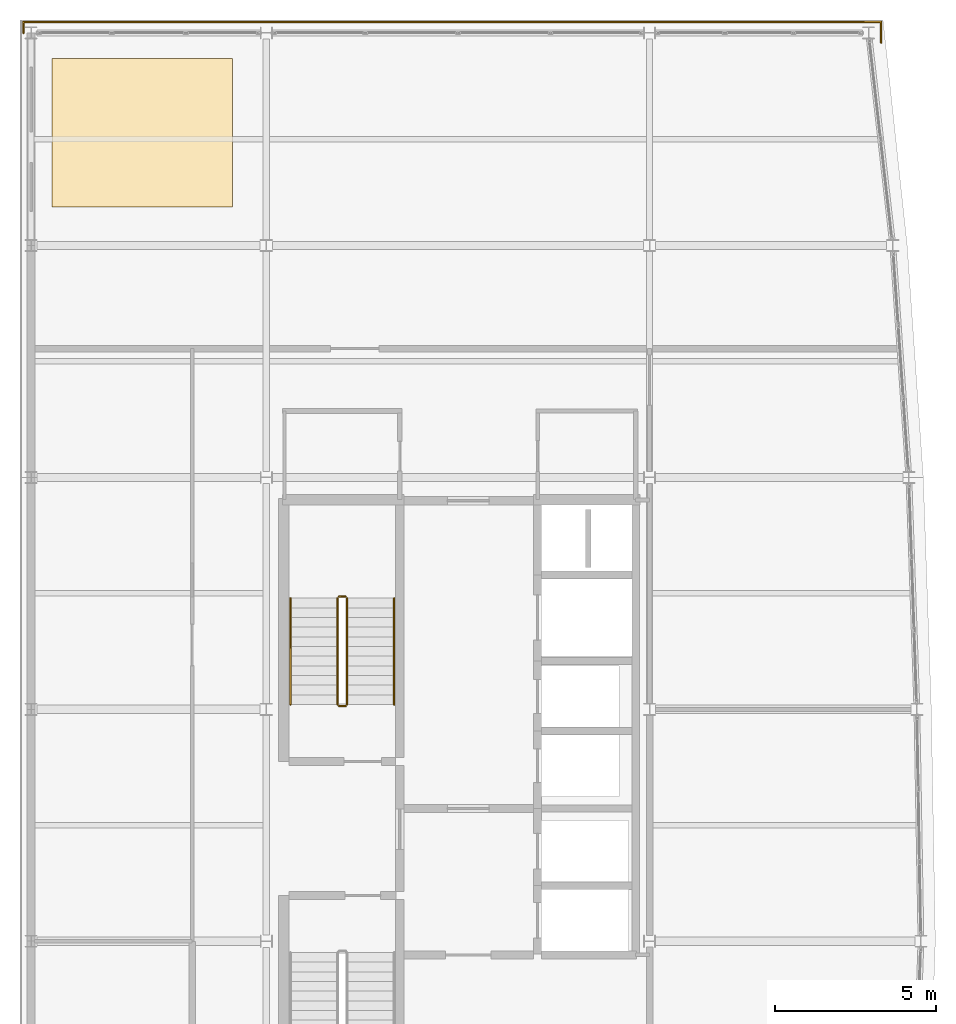
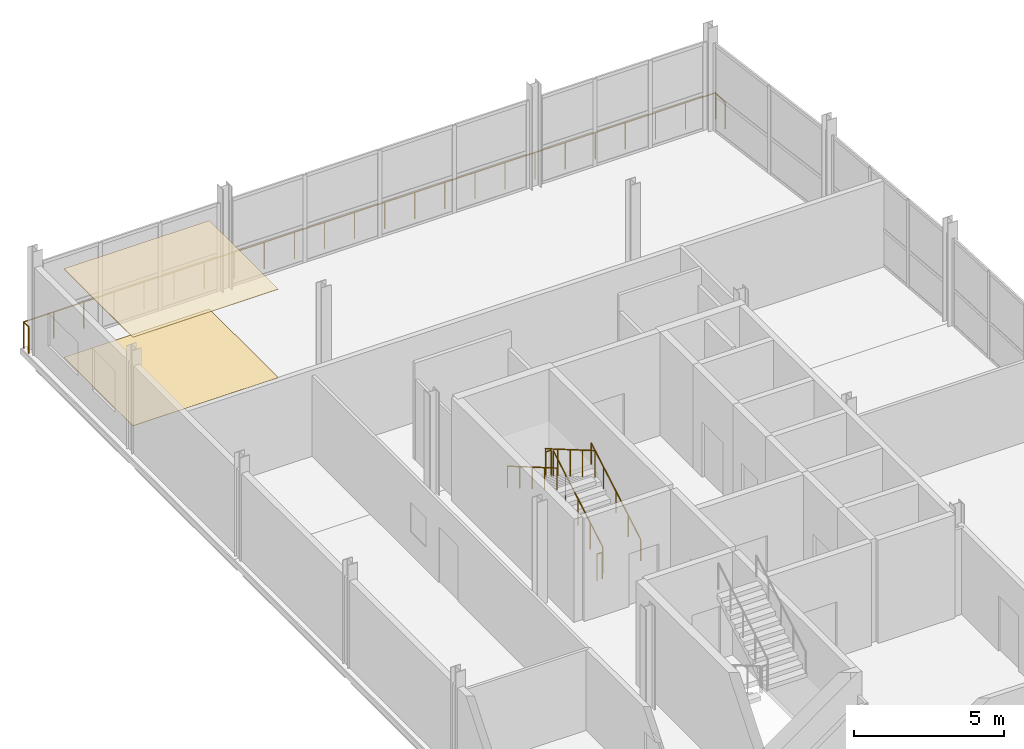
# One storey, part 20 of 20: 7 railings, 2 coverings.
"""IFC4 building model written with IfcOpenShell, lengths in metres."""

from ifc_helpers import new_model, si_unit, direction, frame, origin, origin_2d, place, context, subcontext, project, spatial, polyline, circle, outline, extrude, material, layer, layer_set, type_object, element, save


model = new_model("IFC4")

# Units and contexts
model_context = context("Model", 3, precision=1e-05, world=origin(), true_north=direction((0.0, 1.0)))
body_context = subcontext(model_context, "Body", "Model", "MODEL_VIEW")
ifc_project = project(units=[si_unit("LENGTHUNIT", "METRE"), si_unit("AREAUNIT", "SQUARE_METRE"), si_unit("VOLUMEUNIT", "CUBIC_METRE"), si_unit("PLANEANGLEUNIT", "RADIAN"), si_unit("MASSUNIT", "GRAM", prefix="KILO")], contexts=[model_context])

# Site, building, storey
site_placement = place(None, origin())
site = spatial("IfcSite", under=ifc_project, at=site_placement, CompositionType="ELEMENT")
building_placement = place(site_placement, origin())
building = spatial("IfcBuilding", under=site, at=building_placement, Name="Quillay Park Conservatory", CompositionType="ELEMENT")
storey_placement = place(building_placement, frame((0.0, 0.0, 26.699951171875)))
storey = spatial("IfcBuildingStorey", under=building, at=storey_placement, Name="L06", CompositionType="ELEMENT", Elevation=26.699951171875)

# Coverings
ifc_material_1 = material(Name="Perforated Mineral-Fibre Acoustic Ceiling")
ifc_layer_1 = layer(ifc_material_1, 0.02490234375)
ifc_layer_set_1 = layer_set([ifc_layer_1], Name="ACOUSTIC MINERAL CEILING 25 (Perforated Mineral-Fibre Acoustic Ceiling)")
covering_type_1 = type_object("IfcCoveringType", Name="ACOUSTIC MINERAL CEILING 25", PredefinedType="CEILING", material=ifc_layer_set_1)
covering_1_placement = place(storey_placement, frame((0.0, 0.0, 3.59716796875)))
element("IfcCovering", 1, at=covering_1_placement, inside=storey, type_object=covering_type_1, Name="L06 Suspended Acoustic Ceiling", PredefinedType="CEILING", context=body_context, shape_type="SweptSolid", body=[
    extrude(outline(polyline([(1.199951171875, 108.0), (6.800048828125, 108.0), (6.800048828125, 112.60009765625), (1.199951171875, 112.60009765625), (1.199951171875, 108.0)])), origin(), (0.0, 0.0, 1.0), 0.02490234375),
])
ifc_material_2 = material(Name="Seamless Chemical-Resistant Epoxy Flooring")
ifc_layer_2 = layer(ifc_material_2, 0.01806640625)
ifc_layer_set_2 = layer_set([ifc_layer_2], Name="SEAMLESS EPOXY LAB FLOORING 18 (Seamless Chemical-Resistant Epoxy Flooring)")
covering_type_2 = type_object("IfcCoveringType", Name="SEAMLESS EPOXY LAB FLOORING 18", PredefinedType="FLOORING", material=ifc_layer_set_2)
covering_2_placement = place(storey_placement, origin())
element("IfcCovering", 2, at=covering_2_placement, inside=storey, type_object=covering_type_2, Name="L06 Interior Flooring Finish", PredefinedType="FLOORING", context=body_context, shape_type="SweptSolid", body=[
    extrude(outline(polyline([(1.199951171875, 108.0), (6.800048828125, 108.0), (6.800048828125, 112.60009765625), (1.199951171875, 112.60009765625), (1.199951171875, 108.0)])), origin(), (0.0, 0.0, 1.0), 0.01806640625),
])

# Railings
ifc_material_3 = material(Name="Steel S355J2H", Category="steel")
railing_type_1 = type_object("IfcRailingType", Name="STAIR WALL HANDRAIL 900", PredefinedType="HANDRAIL", material=ifc_material_3)
railing_1_placement = place(storey_placement, frame((11.820068359375, 92.550048828125, 0.175048828125)))
element("IfcRailing", 3, at=railing_1_placement, inside=storey, type_object=railing_type_1, Name="L06 ST-T1 stair handrail 1", PredefinedType="HANDRAIL", context=body_context, shape_type="SweptSolid", body=[
    extrude(circle(Radius=0.02392578125, at=origin_2d()), frame((0.0, 0.0, 0.8759765625), z_axis=(0.0, 0.863776583165, 0.503874998761), x_axis=(-1.0, 0.0, 0.0)), (0.0, 0.0, 1.0), 3.820556640625),
    extrude(circle(Radius=0.02099609375, at=origin_2d()), origin(), (0.0, 0.0, 1.0), 0.851806640625),
    extrude(circle(Radius=0.02099609375, at=origin_2d()), frame((0.0, 0.824951171875, 0.481201171875)), (0.0, 0.0, 1.0), 0.851806640625),
    extrude(circle(Radius=0.02099609375, at=origin_2d()), frame((0.0, 1.64990234375, 0.96240234375)), (0.0, 0.0, 1.0), 0.851806640625),
    extrude(circle(Radius=0.02099609375, at=origin_2d()), frame((0.0, 2.47509765625, 1.44384765625)), (0.0, 0.0, 1.0), 0.851806640625),
    extrude(circle(Radius=0.02099609375, at=origin_2d()), frame((0.0, 3.300048828125, 1.925048828125)), (0.0, 0.0, 1.0), 0.851806640625),
])
railing_2_placement = place(storey_placement, frame((8.60009765625, 95.85009765625, 2.275146484375)))
element("IfcRailing", 4, at=railing_2_placement, inside=storey, type_object=railing_type_1, Name="L06 ST-T1 stair handrail 2", PredefinedType="HANDRAIL", context=body_context, shape_type="SweptSolid", body=[
    extrude(circle(Radius=0.02392578125, at=origin_2d()), frame((0.0, 0.0, 0.8759765625), z_axis=(0.0, -0.863804395585, 0.503827317807), x_axis=(1.0, 0.0, 0.0)), (0.0, 0.0, 1.0), 3.8203125),
    extrude(circle(Radius=0.02099609375, at=origin_2d()), origin(), (0.0, 0.0, 1.0), 0.851806640625),
    extrude(circle(Radius=0.02099609375, at=origin_2d()), frame((0.0, -0.824951171875, 0.481201171875)), (0.0, 0.0, 1.0), 0.851806640625),
    extrude(circle(Radius=0.02099609375, at=origin_2d()), frame((0.0, -1.64990234375, 0.96240234375)), (0.0, 0.0, 1.0), 0.851806640625),
    extrude(circle(Radius=0.02099609375, at=origin_2d()), frame((0.0, -2.47509765625, 1.443603515625)), (0.0, 0.0, 1.0), 0.851806640625),
    extrude(circle(Radius=0.02099609375, at=origin_2d()), frame((0.0, -3.300048828125, 1.9248046875)), (0.0, 0.0, 1.0), 0.851806640625),
])
ifc_material_4 = material(Name="Steel S355J2H", Category="steel")
railing_type_2 = type_object("IfcRailingType", Name="STAIR WELL GUARDRAIL 1100", PredefinedType="GUARDRAIL", material=ifc_material_4)
railing_3_placement = place(storey_placement, frame((10.360107421875, 92.550048828125, 0.175048828125)))
element("IfcRailing", 5, at=railing_3_placement, inside=storey, type_object=railing_type_2, Name="L06 ST-T1 stair guard 1", PredefinedType="GUARDRAIL", context=body_context, shape_type="SweptSolid", body=[
    extrude(circle(Radius=0.02392578125, at=origin_2d()), frame((0.0, 0.0, 1.076171875), z_axis=(0.0, 0.863776583165, 0.503874998761), x_axis=(-1.0, 0.0, 0.0)), (0.0, 0.0, 1.0), 3.820556640625),
    extrude(circle(Radius=0.02099609375, at=origin_2d()), origin(), (0.0, 0.0, 1.0), 1.052001953125),
    extrude(circle(Radius=0.02099609375, at=origin_2d()), frame((0.0, 0.824951171875, 0.481201171875)), (0.0, 0.0, 1.0), 1.052001953125),
    extrude(circle(Radius=0.02099609375, at=origin_2d()), frame((0.0, 1.64990234375, 0.96240234375)), (0.0, 0.0, 1.0), 1.052001953125),
    extrude(circle(Radius=0.02099609375, at=origin_2d()), frame((0.0, 2.47509765625, 1.44384765625)), (0.0, 0.0, 1.0), 1.052001953125),
    extrude(circle(Radius=0.02099609375, at=origin_2d()), frame((0.0, 3.300048828125, 1.925048828125)), (0.0, 0.0, 1.0), 1.052001953125),
])
railing_4_placement = place(storey_placement, frame((10.31005859375, 95.89990234375, 2.10009765625)))
element("IfcRailing", 6, at=railing_4_placement, inside=storey, type_object=railing_type_2, Name="L06 ST-T1 stair guard 2", PredefinedType="GUARDRAIL", context=body_context, shape_type="SweptSolid", body=[
    extrude(circle(Radius=0.02392578125, at=origin_2d()), frame((0.0, 0.0, 1.076171875), z_axis=(-1.0, 0.0, 0.0), x_axis=(0.0, -1.0, 0.0)), (0.0, 0.0, 1.0), 0.199951171875),
    extrude(circle(Radius=0.02099609375, at=origin_2d()), origin(), (0.0, 0.0, 1.0), 1.052001953125),
    extrude(circle(Radius=0.02099609375, at=origin_2d()), frame((-0.199951171875, 0.0, 0.0)), (0.0, 0.0, 1.0), 1.052001953125),
])
railing_5_placement = place(storey_placement, frame((10.06005859375, 95.85009765625, 2.275146484375)))
element("IfcRailing", 7, at=railing_5_placement, inside=storey, type_object=railing_type_2, Name="L06 ST-T1 stair guard 3", PredefinedType="GUARDRAIL", context=body_context, shape_type="SweptSolid", body=[
    extrude(circle(Radius=0.02392578125, at=origin_2d()), frame((0.0, 0.0, 1.076171875), z_axis=(0.0, -0.863804395585, 0.503827317807), x_axis=(1.0, 0.0, 0.0)), (0.0, 0.0, 1.0), 3.8203125),
    extrude(circle(Radius=0.02099609375, at=origin_2d()), origin(), (0.0, 0.0, 1.0), 1.052001953125),
    extrude(circle(Radius=0.02099609375, at=origin_2d()), frame((0.0, -0.824951171875, 0.481201171875)), (0.0, 0.0, 1.0), 1.052001953125),
    extrude(circle(Radius=0.02099609375, at=origin_2d()), frame((0.0, -1.64990234375, 0.96240234375)), (0.0, 0.0, 1.0), 1.052001953125),
    extrude(circle(Radius=0.02099609375, at=origin_2d()), frame((0.0, -2.47509765625, 1.443603515625)), (0.0, 0.0, 1.0), 1.052001953125),
    extrude(circle(Radius=0.02099609375, at=origin_2d()), frame((0.0, -3.300048828125, 1.9248046875)), (0.0, 0.0, 1.0), 1.052001953125),
])
railing_6_placement = place(storey_placement, frame((10.31005859375, 92.5, 0.0)))
element("IfcRailing", 8, at=railing_6_placement, inside=storey, type_object=railing_type_2, Name="L06 ST-T1 stair guard 4", PredefinedType="GUARDRAIL", context=body_context, shape_type="SweptSolid", body=[
    extrude(circle(Radius=0.02392578125, at=origin_2d()), frame((0.0, 0.0, 1.076171875), z_axis=(-1.0, 0.0, 0.0), x_axis=(0.0, -1.0, 0.0)), (0.0, 0.0, 1.0), 0.199951171875),
    extrude(circle(Radius=0.02099609375, at=origin_2d()), origin(), (0.0, 0.0, 1.0), 1.052001953125),
    extrude(circle(Radius=0.02099609375, at=origin_2d()), frame((-0.199951171875, 0.0, 0.0)), (0.0, 0.0, 1.0), 1.052001953125),
])
ifc_material_5 = material(Name="Steel S355J2H", Category="steel")
railing_type_3 = type_object("IfcRailingType", Name="TERRACE PERIMETER GUARDRAIL 1100", PredefinedType="GUARDRAIL", material=ifc_material_5)
railing_7_placement = place(storey_placement, frame((0.31005859375, 113.39990234375, 0.0)))
element("IfcRailing", 9, at=railing_7_placement, inside=storey, type_object=railing_type_3, Name="L06 Perimeter Safety Guardrail 030", PredefinedType="GUARDRAIL", context=body_context, shape_type="SweptSolid", body=[
    extrude(circle(Radius=0.02392578125, at=origin_2d()), frame((0.0, 0.0, 1.076171875), z_axis=(0.0, 1.0, 0.0), x_axis=(-1.0, 0.0, 0.0)), (0.0, 0.0, 1.0), 0.340087890625),
    extrude(circle(Radius=0.02392578125, at=origin_2d()), frame((0.0, 0.340087890625, 1.076171875), z_axis=(1.0, 0.0, 0.0), x_axis=(0.0, 1.0, 0.0)), (0.0, 0.0, 1.0), 26.6298828125),
    extrude(circle(Radius=0.02392578125, at=origin_2d()), frame((26.6298828125, 0.340087890625, 1.076171875), z_axis=(0.0, -1.0, 0.0), x_axis=(1.0, 0.0, 0.0)), (0.0, 0.0, 1.0), 0.639892578125),
    extrude(circle(Radius=0.02099609375, at=origin_2d()), origin(), (0.0, 0.0, 1.0), 1.052001953125),
    extrude(circle(Radius=0.02099609375, at=origin_2d()), frame((0.0, 0.340087890625, 0.0)), (0.0, 0.0, 1.0), 1.052001953125),
    extrude(circle(Radius=0.02099609375, at=origin_2d()), frame((1.15771484375, 0.340087890625, 0.0)), (0.0, 0.0, 1.0), 1.052001953125),
    extrude(circle(Radius=0.02099609375, at=origin_2d()), frame((2.315673828125, 0.340087890625, 0.0)), (0.0, 0.0, 1.0), 1.052001953125),
    extrude(circle(Radius=0.02099609375, at=origin_2d()), frame((3.473388671875, 0.340087890625, 0.0)), (0.0, 0.0, 1.0), 1.052001953125),
    extrude(circle(Radius=0.02099609375, at=origin_2d()), frame((4.63134765625, 0.340087890625, 0.0)), (0.0, 0.0, 1.0), 1.052001953125),
    extrude(circle(Radius=0.02099609375, at=origin_2d()), frame((5.7890625, 0.340087890625, 0.0)), (0.0, 0.0, 1.0), 1.052001953125),
    extrude(circle(Radius=0.02099609375, at=origin_2d()), frame((6.947021484375, 0.340087890625, 0.0)), (0.0, 0.0, 1.0), 1.052001953125),
    extrude(circle(Radius=0.02099609375, at=origin_2d()), frame((8.104736328125, 0.340087890625, 0.0)), (0.0, 0.0, 1.0), 1.052001953125),
    extrude(circle(Radius=0.02099609375, at=origin_2d()), frame((9.262451171875, 0.340087890625, 0.0)), (0.0, 0.0, 1.0), 1.052001953125),
    extrude(circle(Radius=0.02099609375, at=origin_2d()), frame((10.42041015625, 0.340087890625, 0.0)), (0.0, 0.0, 1.0), 1.052001953125),
    extrude(circle(Radius=0.02099609375, at=origin_2d()), frame((11.578125, 0.340087890625, 0.0)), (0.0, 0.0, 1.0), 1.052001953125),
    extrude(circle(Radius=0.02099609375, at=origin_2d()), frame((12.736083984375, 0.340087890625, 0.0)), (0.0, 0.0, 1.0), 1.052001953125),
    extrude(circle(Radius=0.02099609375, at=origin_2d()), frame((13.893798828125, 0.340087890625, 0.0)), (0.0, 0.0, 1.0), 1.052001953125),
    extrude(circle(Radius=0.02099609375, at=origin_2d()), frame((15.0517578125, 0.340087890625, 0.0)), (0.0, 0.0, 1.0), 1.052001953125),
    extrude(circle(Radius=0.02099609375, at=origin_2d()), frame((16.20947265625, 0.340087890625, 0.0)), (0.0, 0.0, 1.0), 1.052001953125),
    extrude(circle(Radius=0.02099609375, at=origin_2d()), frame((17.367431640625, 0.340087890625, 0.0)), (0.0, 0.0, 1.0), 1.052001953125),
    extrude(circle(Radius=0.02099609375, at=origin_2d()), frame((18.525146484375, 0.340087890625, 0.0)), (0.0, 0.0, 1.0), 1.052001953125),
    extrude(circle(Radius=0.02099609375, at=origin_2d()), frame((19.682861328125, 0.340087890625, 0.0)), (0.0, 0.0, 1.0), 1.052001953125),
    extrude(circle(Radius=0.02099609375, at=origin_2d()), frame((20.8408203125, 0.340087890625, 0.0)), (0.0, 0.0, 1.0), 1.052001953125),
    extrude(circle(Radius=0.02099609375, at=origin_2d()), frame((21.99853515625, 0.340087890625, 0.0)), (0.0, 0.0, 1.0), 1.052001953125),
    extrude(circle(Radius=0.02099609375, at=origin_2d()), frame((23.156494140625, 0.340087890625, 0.0)), (0.0, 0.0, 1.0), 1.052001953125),
    extrude(circle(Radius=0.02099609375, at=origin_2d()), frame((24.314208984375, 0.340087890625, 0.0)), (0.0, 0.0, 1.0), 1.052001953125),
    extrude(circle(Radius=0.02099609375, at=origin_2d()), frame((25.47216796875, 0.340087890625, 0.0)), (0.0, 0.0, 1.0), 1.052001953125),
    extrude(circle(Radius=0.02099609375, at=origin_2d()), frame((26.6298828125, 0.340087890625, 0.0)), (0.0, 0.0, 1.0), 1.052001953125),
    extrude(circle(Radius=0.02099609375, at=origin_2d()), frame((26.6298828125, -0.2998046875, 0.0)), (0.0, 0.0, 1.0), 1.052001953125),
])

save(model, "model.ifc")
